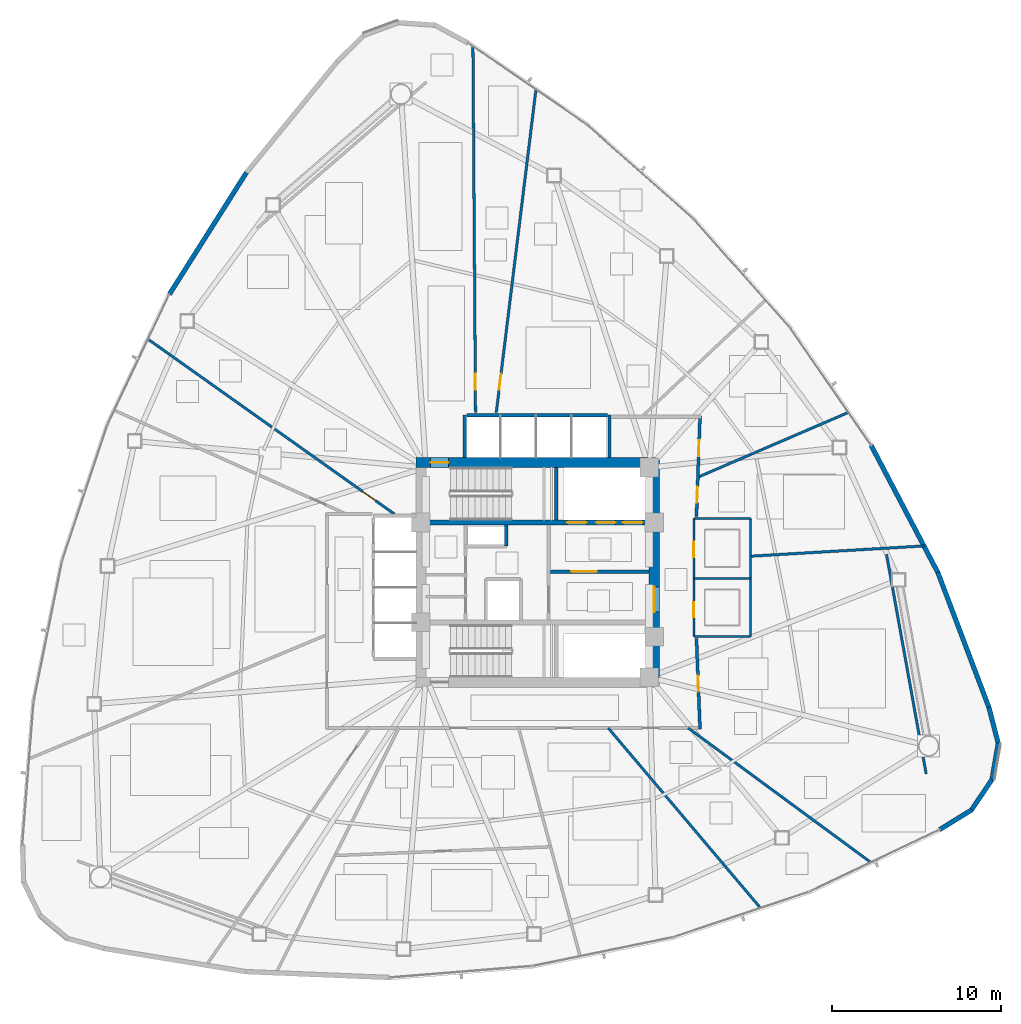
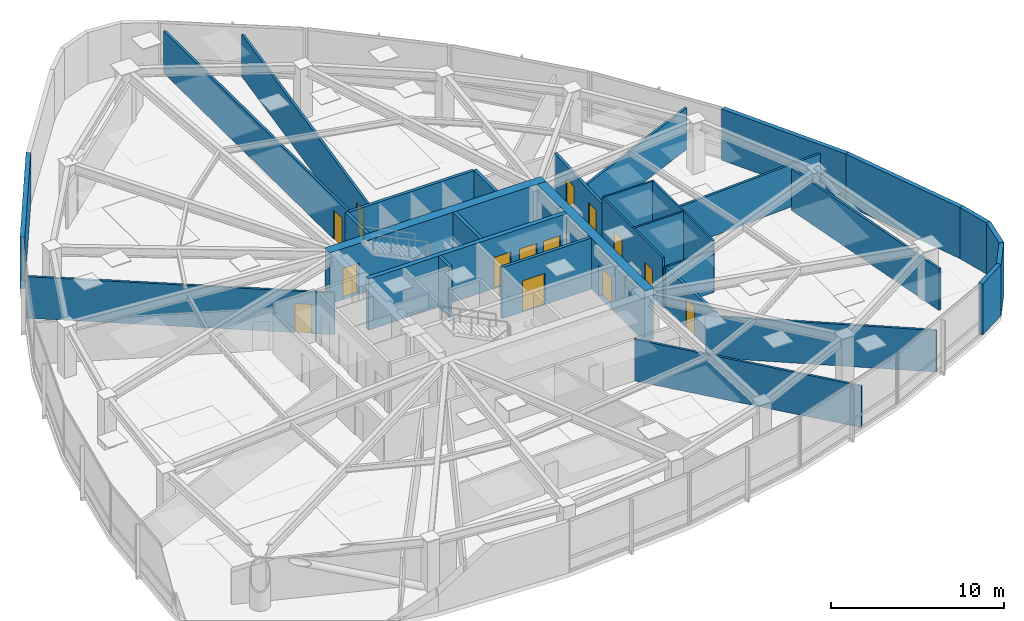
# One storey, part 13 of 18: 31 walls, 14 doors, 14 openings.
"""IFC4 building model written with IfcOpenShell, lengths in metres."""

from ifc_helpers import new_model, si_unit, direction, frame, frame_2d, origin, place, context, subcontext, project, spatial, rectangle, extrude, material, layer, layer_set, type_object, element, fill, save


model = new_model("IFC4")

# Units and contexts
model_context = context("Model", 3, precision=1e-05, world=origin(), true_north=direction((0.0, 1.0)))
body_context = subcontext(model_context, "Body", "Model", "MODEL_VIEW")
ifc_project = project(units=[si_unit("LENGTHUNIT", "METRE"), si_unit("AREAUNIT", "SQUARE_METRE"), si_unit("VOLUMEUNIT", "CUBIC_METRE"), si_unit("PLANEANGLEUNIT", "RADIAN"), si_unit("MASSUNIT", "GRAM", prefix="KILO")], contexts=[model_context])

# Site, building, storey
site_placement = place(None, origin())
site = spatial("IfcSite", under=ifc_project, at=site_placement, CompositionType="ELEMENT")
building_placement = place(site_placement, origin())
building = spatial("IfcBuilding", under=site, at=building_placement, Name="Tavelor Broadcast Tower", CompositionType="ELEMENT")
storey_placement = place(building_placement, frame((0.0, 0.0, 58.800048828125)))
storey = spatial("IfcBuildingStorey", under=building, at=storey_placement, Name="L13", CompositionType="ELEMENT", Elevation=58.800048828125)

# Wall, opening, door
ifc_material_1 = material(Name="Concrete C60/75", Category="concrete")
ifc_layer_1 = layer(ifc_material_1, 0.60009765625)
ifc_layer_set_1 = layer_set([ifc_layer_1], Name="Concrete C60/75")
wall_type_1 = type_object("IfcWallType", Name="Core Shear Wall 600 mm", PredefinedType="SHEAR", material=ifc_layer_set_1)
wall_1_placement = place(storey_placement, frame((42.800048828125, 51.5, 0.0), z_axis=(0.0, 0.0, 1.0), x_axis=(1.0, 0.0, 0.0)))
wall_1 = element("IfcWall", 1, at=wall_1_placement, inside=storey, type_object=wall_type_1, Name="L13 Central Core Shear Wall N", PredefinedType="SHEAR", context=body_context, shape_type="SweptSolid", body=[
    extrude(rectangle(XDim=14.39990234375, YDim=0.60009765625, at=frame_2d((7.199951171875, 0.0))), origin(), (0.0, 0.0, 1.0), 3.599853515625),
])
opening_1_placement = place(wall_1_placement, frame((0.8798828125, 0.0, 0.0)))
opening_1 = element("IfcOpeningElement", 2, at=opening_1_placement, cuts=wall_1, Name="Opening DR11", PredefinedType="OPENING", context=body_context, shape_type="SweptSolid", body=[
    extrude(rectangle(XDim=1.050048828125, YDim=2.199951171875, at=frame_2d((0.52490234375, 1.10009765625))), frame((0.0, 0.31005859375, 0.0), z_axis=(0.0, -1.0, 0.0), x_axis=(1.0, 0.0, 0.0)), (0.0, 0.0, 1.0), 0.6201171875),
])
ifc_material_2 = material(Name="Steel S355", Category="steel")
door_type_1 = type_object("IfcDoorType", Name="Stair Core Fire Escape Door 1050x2200", OperationType="NOTDEFINED", PredefinedType="DOOR", material=ifc_material_2)
door_1_placement = place(opening_1_placement, origin())
door_1 = element("IfcDoor", 3, at=door_1_placement, inside=storey, type_object=door_type_1, Name="L13 Stair ST1 Protected Exit Door", OperationType="SINGLE_SWING_LEFT", OverallHeight=2.199951171875, OverallWidth=1.050048828125, PredefinedType="DOOR", context=body_context, shape_type="SweptSolid", body=[
    extrude(rectangle(XDim=1.050048828125, YDim=2.199951171875, at=frame_2d((0.52490234375, 1.10009765625))), frame((0.0, 0.02490234375, 0.0), z_axis=(0.0, -1.0, 0.0), x_axis=(1.0, 0.0, 0.0)), (0.0, 0.0, 1.0), 0.050048828125),
])
fill(opening_1, door_1)

wall_2_placement = place(storey_placement, frame((56.89990234375, 38.800048828125, 0.0), z_axis=(0.0, 0.0, 1.0), x_axis=(0.0, 1.0, 0.0)))
wall_2 = element("IfcWall", 4, at=wall_2_placement, inside=storey, type_object=wall_type_1, Name="L13 Central Core Shear Wall E", PredefinedType="SHEAR", context=body_context, shape_type="SweptSolid", body=[
    extrude(rectangle(XDim=12.39990234375, YDim=0.60009765625, at=frame_2d((6.199951171875, 0.0))), origin(), (0.0, 0.0, 1.0), 3.599853515625),
])
opening_2_placement = place(wall_2_placement, frame((3.85009765625, 0.0, 0.0)))
opening_2 = element("IfcOpeningElement", 5, at=opening_2_placement, cuts=wall_2, Name="Opening DR14", PredefinedType="OPENING", context=body_context, shape_type="SweptSolid", body=[
    extrude(rectangle(XDim=1.5, YDim=2.199951171875, at=frame_2d((0.75, 1.10009765625))), frame((0.0, 0.31005859375, 0.0), z_axis=(0.0, -1.0, 0.0), x_axis=(1.0, 0.0, 0.0)), (0.0, 0.0, 1.0), 0.6201171875),
])
door_type_2 = type_object("IfcDoorType", Name="Firefighting Lobby Double Fire Door 1500x2200", OperationType="NOTDEFINED", PredefinedType="DOOR", material=ifc_material_2)
door_2_placement = place(opening_2_placement, origin())
door_2 = element("IfcDoor", 6, at=door_2_placement, inside=storey, type_object=door_type_2, Name="L13 Central Core Lobby Fire Door", OperationType="SINGLE_SWING_RIGHT", OverallHeight=2.199951171875, OverallWidth=1.5, PredefinedType="DOOR", context=body_context, shape_type="SweptSolid", body=[
    extrude(rectangle(XDim=1.5, YDim=2.199951171875, at=frame_2d((0.75, 1.10009765625))), frame((0.0, 0.02490234375, 0.0), z_axis=(0.0, -1.0, 0.0), x_axis=(1.0, 0.0, 0.0)), (0.0, 0.0, 1.0), 0.050048828125),
])
fill(opening_2, door_2)

# Wall, openings, doors
ifc_layer_2 = layer(ifc_material_1, 0.300048828125)
ifc_layer_set_2 = layer_set([ifc_layer_2], Name="Concrete C60/75")
wall_type_2 = type_object("IfcWallType", Name="Core Spine Shear Wall 300 mm C60", PredefinedType="SHEAR", material=ifc_layer_set_2)
wall_3_placement = place(storey_placement, frame((43.39990234375, 47.949951171875, 0.0), z_axis=(0.0, 0.0, 1.0), x_axis=(1.0, 0.0, 0.0)))
wall_3 = element("IfcWall", 7, at=wall_3_placement, inside=storey, type_object=wall_type_2, Name="L13 Central Core Shear Wall SP1", PredefinedType="SHEAR", context=body_context, shape_type="SweptSolid", body=[
    extrude(rectangle(XDim=13.2001953125, YDim=0.300048828125, at=frame_2d((6.60009765625, 0.0))), origin(), (0.0, 0.0, 1.0), 3.599853515625),
])
opening_3_placement = place(wall_3_placement, frame((8.344970703125, 0.0, 0.0)))
opening_3 = element("IfcOpeningElement", 8, at=opening_3_placement, cuts=wall_3, Name="Opening LD02", PredefinedType="OPENING", context=body_context, shape_type="SweptSolid", body=[
    extrude(rectangle(XDim=1.14990234375, YDim=2.199951171875, at=frame_2d((0.574951171875, 1.10009765625))), frame((0.0, 0.16015625, 0.0), z_axis=(0.0, -1.0, 0.0), x_axis=(1.0, 0.0, 0.0)), (0.0, 0.0, 1.0), 0.320068359375),
])
opening_4_placement = place(wall_3_placement, frame((10.06494140625, 0.0, 0.0)))
opening_4 = element("IfcOpeningElement", 9, at=opening_4_placement, cuts=wall_3, Name="Opening LD02", PredefinedType="OPENING", context=body_context, shape_type="SweptSolid", body=[
    extrude(rectangle(XDim=1.14990234375, YDim=2.199951171875, at=frame_2d((0.574951171875, 1.10009765625))), frame((0.0, 0.16015625, 0.0), z_axis=(0.0, -1.0, 0.0), x_axis=(1.0, 0.0, 0.0)), (0.0, 0.0, 1.0), 0.320068359375),
])
opening_5_placement = place(wall_3_placement, frame((11.64501953125, 0.0, 0.0)))
opening_5 = element("IfcOpeningElement", 10, at=opening_5_placement, cuts=wall_3, Name="Opening LD03", PredefinedType="OPENING", context=body_context, shape_type="SweptSolid", body=[
    extrude(rectangle(XDim=1.14990234375, YDim=2.199951171875, at=frame_2d((0.574951171875, 1.10009765625))), frame((0.0, 0.16015625, 0.0), z_axis=(0.0, -1.0, 0.0), x_axis=(1.0, 0.0, 0.0)), (0.0, 0.0, 1.0), 0.320068359375),
])
ifc_material_3 = material(Name="Reinforced Brushed Stainless Steel", Category="concrete")
door_type_3 = type_object("IfcDoorType", Name="Broadcast Goods Lift Sliding Landing Door 1250x2200", OperationType="NOTDEFINED", PredefinedType="DOOR", material=ifc_material_3)
door_3_placement = place(opening_5_placement, origin())
door_3 = element("IfcDoor", 11, at=door_3_placement, inside=storey, type_object=door_type_3, Name="L13 Lift SVL1 Sliding Landing Door", OperationType="SLIDING_TO_LEFT", OverallHeight=2.199951171875, OverallWidth=1.14990234375, PredefinedType="DOOR", context=body_context, shape_type="SweptSolid", body=[
    extrude(rectangle(XDim=1.14990234375, YDim=2.199951171875, at=frame_2d((0.574951171875, 1.10009765625))), frame((0.0, 0.02490234375, 0.0), z_axis=(0.0, -1.0, 0.0), x_axis=(1.0, 0.0, 0.0)), (0.0, 0.0, 1.0), 0.050048828125),
])
fill(opening_5, door_3)
ifc_material_4 = material(Name="Fire-Rated Stainless Steel", Category="steel")
door_type_4 = type_object("IfcDoorType", Name="Firefighting Lift Sliding Landing Door 1200x2200", OperationType="NOTDEFINED", PredefinedType="DOOR", material=ifc_material_4)
door_4_placement = place(opening_3_placement, origin())
door_4 = element("IfcDoor", 12, at=door_4_placement, inside=storey, type_object=door_type_4, Name="L13 Lift FFL1 Sliding Landing Door", OperationType="SLIDING_TO_LEFT", OverallHeight=2.199951171875, OverallWidth=1.14990234375, PredefinedType="DOOR", context=body_context, shape_type="SweptSolid", body=[
    extrude(rectangle(XDim=1.14990234375, YDim=2.199951171875, at=frame_2d((0.574951171875, 1.10009765625))), frame((0.0, 0.02490234375, 0.0), z_axis=(0.0, -1.0, 0.0), x_axis=(1.0, 0.0, 0.0)), (0.0, 0.0, 1.0), 0.050048828125),
])
fill(opening_3, door_4)
door_5_placement = place(opening_4_placement, origin())
door_5 = element("IfcDoor", 13, at=door_5_placement, inside=storey, type_object=door_type_4, Name="L13 Lift FFL2 Sliding Landing Door", OperationType="SLIDING_TO_LEFT", OverallHeight=2.199951171875, OverallWidth=1.14990234375, PredefinedType="DOOR", context=body_context, shape_type="SweptSolid", body=[
    extrude(rectangle(XDim=1.14990234375, YDim=2.199951171875, at=frame_2d((0.574951171875, 1.10009765625))), frame((0.0, 0.02490234375, 0.0), z_axis=(0.0, -1.0, 0.0), x_axis=(1.0, 0.0, 0.0)), (0.0, 0.0, 1.0), 0.050048828125),
])
fill(opening_4, door_5)

ifc_material_5 = material(Name="Calcium Silicate Fire Board 180 mm", Category="gypsum")
ifc_layer_3 = layer(ifc_material_5, 0.179931640625)
ifc_layer_set_3 = layer_set([ifc_layer_3], Name="Calcium Silicate Fire Board 180 mm")
wall_type_3 = type_object("IfcWallType", Name="Fire-Rated Corridor Partition Wall 180 mm", PredefinedType="PARTITIONING", material=ifc_layer_set_3)
wall_4_placement = place(storey_placement, frame((59.601806640625, 54.25, 0.0), z_axis=(0.0, 0.0, 1.0), x_axis=(-0.035265891834, -0.999377964973, 0.0)))
wall_4 = element("IfcWall", 14, at=wall_4_placement, inside=storey, type_object=wall_type_3, Name="L13 Corridor Compartment Wall 02", PredefinedType="PARTITIONING", context=body_context, shape_type="SweptSolid", body=[
    extrude(rectangle(XDim=5.95361328125, YDim=0.179931640625, at=frame_2d((2.976806640625, 0.0))), origin(), (0.0, 0.0, 1.0), 2.925048828125),
])
opening_6_placement = place(wall_4_placement, frame((1.42578125, 0.0, 0.0)))
opening_6 = element("IfcOpeningElement", 15, at=opening_6_placement, cuts=wall_4, Name="Opening DR18", PredefinedType="OPENING", context=body_context, shape_type="SweptSolid", body=[
    extrude(rectangle(XDim=0.949951171875, YDim=2.050048828125, at=frame_2d((0.47509765625, 1.02490234375))), frame((0.0, 0.10009765625, 0.0), z_axis=(0.0, -1.0, 0.0), x_axis=(1.0, 0.0, 0.0)), (0.0, 0.0, 1.0), 0.199951171875),
])
opening_7_placement = place(wall_4_placement, frame((4.176025390625, 0.0, 0.0)))
opening_7 = element("IfcOpeningElement", 16, at=opening_7_placement, cuts=wall_4, Name="Opening DR18", PredefinedType="OPENING", context=body_context, shape_type="SweptSolid", body=[
    extrude(rectangle(XDim=0.949951171875, YDim=2.050048828125, at=frame_2d((0.47509765625, 1.02490234375))), frame((0.0, 0.10009765625, 0.0), z_axis=(0.0, -1.0, 0.0), x_axis=(1.0, 0.0, 0.0)), (0.0, 0.0, 1.0), 0.199951171875),
])
ifc_material_6 = material(Name="Timber Solid Core Hardwood", Category="wood")
door_type_5 = type_object("IfcDoorType", Name="Corridor Rated Compartment Door 950x2050", OperationType="NOTDEFINED", PredefinedType="DOOR", material=ifc_material_6)
door_6_placement = place(opening_6_placement, origin())
door_6 = element("IfcDoor", 17, at=door_6_placement, inside=storey, type_object=door_type_5, Name="L13 Talent Concierge Desk Door R8", OperationType="SINGLE_SWING_RIGHT", OverallHeight=2.050048828125, OverallWidth=0.949951171875, PredefinedType="DOOR", context=body_context, shape_type="SweptSolid", body=[
    extrude(rectangle(XDim=0.949951171875, YDim=2.050048828125, at=frame_2d((0.47509765625, 1.02490234375))), frame((0.0, 0.02490234375, 0.0), z_axis=(0.0, -1.0, 0.0), x_axis=(1.0, 0.0, 0.0)), (0.0, 0.0, 1.0), 0.050048828125),
])
fill(opening_6, door_6)
door_7_placement = place(opening_7_placement, origin())
door_7 = element("IfcDoor", 18, at=door_7_placement, inside=storey, type_object=door_type_5, Name="L13 Master Control Room Door R9", OperationType="SINGLE_SWING_LEFT", OverallHeight=2.050048828125, OverallWidth=0.949951171875, PredefinedType="DOOR", context=body_context, shape_type="SweptSolid", body=[
    extrude(rectangle(XDim=0.949951171875, YDim=2.050048828125, at=frame_2d((0.47509765625, 1.02490234375))), frame((0.0, 0.02490234375, 0.0), z_axis=(0.0, -1.0, 0.0), x_axis=(1.0, 0.0, 0.0)), (0.0, 0.0, 1.0), 0.050048828125),
])
fill(opening_7, door_7)

# Wall, opening, door
wall_5_placement = place(storey_placement, frame((59.39208984375, 41.10009765625, 0.0), z_axis=(0.0, 0.0, 1.0), x_axis=(0.03921413315, -0.999230830069, 0.0)))
wall_5 = element("IfcWall", 19, at=wall_5_placement, inside=storey, type_object=wall_type_3, Name="L13 Corridor Compartment Wall 03", PredefinedType="PARTITIONING", context=body_context, shape_type="SweptSolid", body=[
    extrude(rectangle(XDim=5.354248046875, YDim=0.179931640625, at=frame_2d((2.67724609375, 0.0))), origin(), (0.0, 0.0, 1.0), 2.925048828125),
])
opening_8_placement = place(wall_5_placement, frame((2.201904296875, 0.0, 0.0)))
opening_8 = element("IfcOpeningElement", 20, at=opening_8_placement, cuts=wall_5, Name="Opening DR18", PredefinedType="OPENING", context=body_context, shape_type="SweptSolid", body=[
    extrude(rectangle(XDim=0.949951171875, YDim=2.050048828125, at=frame_2d((0.47509765625, 1.02490234375))), frame((0.0, 0.10009765625, 0.0), z_axis=(0.0, -1.0, 0.0), x_axis=(1.0, 0.0, 0.0)), (0.0, 0.0, 1.0), 0.199951171875),
])
door_8_placement = place(opening_8_placement, origin())
door_8 = element("IfcDoor", 21, at=door_8_placement, inside=storey, type_object=door_type_5, Name="L13 Investigative News Desk Door R10", OperationType="SINGLE_SWING_RIGHT", OverallHeight=2.050048828125, OverallWidth=0.949951171875, PredefinedType="DOOR", context=body_context, shape_type="SweptSolid", body=[
    extrude(rectangle(XDim=0.949951171875, YDim=2.050048828125, at=frame_2d((0.47509765625, 1.02490234375))), frame((0.0, 0.02490234375, 0.0), z_axis=(0.0, -1.0, 0.0), x_axis=(1.0, 0.0, 0.0)), (0.0, 0.0, 1.0), 0.050048828125),
])
fill(opening_8, door_8)

# Walls
ifc_material_7 = material(Name="Precast Concrete C40/50", Category="concrete")
ifc_layer_4 = layer(ifc_material_7, 0.280029296875)
ifc_layer_set_4 = layer_set([ifc_layer_4], Name="Precast Concrete C40/50")
wall_type_4 = type_object("IfcWallType", Name="Insulated Precast Terracotta Facade Wall 280 mm", PredefinedType="STANDARD", material=ifc_layer_set_4)
wall_6_placement = place(storey_placement, frame((32.790283203125, 68.639892578125, 0.0), z_axis=(0.0, 0.0, 1.0), x_axis=(-0.534720659034, -0.845028885188, 0.0)))
element("IfcWall", 22, at=wall_6_placement, inside=storey, type_object=wall_type_4, Name="L13 Rounded Corner Structural Cladding Pier 06", PredefinedType="STANDARD", context=body_context, shape_type="SweptSolid", body=[
    extrude(rectangle(XDim=8.518310546875, YDim=0.280029296875, at=frame_2d((4.25927734375, 0.0))), origin(), (0.0, 0.0, 1.0), 3.599853515625),
])
wall_7_placement = place(storey_placement, frame((73.767578125, 29.793701171875, 0.0), z_axis=(0.0, 0.0, 1.0), x_axis=(0.851246241496, 0.524766458854, 0.0)))
element("IfcWall", 23, at=wall_7_placement, inside=storey, type_object=wall_type_4, Name="L13 Rounded Corner Structural Cladding Pier 21", PredefinedType="STANDARD", context=body_context, shape_type="SweptSolid", body=[
    extrude(rectangle(XDim=2.21875, YDim=0.280029296875, at=frame_2d((1.109375, 0.0))), origin(), (0.0, 0.0, 1.0), 3.599853515625),
])
wall_8_placement = place(storey_placement, frame((75.635009765625, 30.937744140625, 0.0), z_axis=(0.0, 0.0, 1.0), x_axis=(0.559896406267, 0.828562619389, 0.0)))
element("IfcWall", 24, at=wall_8_placement, inside=storey, type_object=wall_type_4, Name="L13 Rounded Corner Structural Cladding Pier 22", PredefinedType="STANDARD", context=body_context, shape_type="SweptSolid", body=[
    extrude(rectangle(XDim=2.207275390625, YDim=0.280029296875, at=frame_2d((1.103515625, 0.0))), origin(), (0.0, 0.0, 1.0), 3.599853515625),
])
wall_9_placement = place(storey_placement, frame((76.860107421875, 32.7392578125, 0.0), z_axis=(0.0, 0.0, 1.0), x_axis=(0.169329109124, 0.985559563296, 0.0)))
element("IfcWall", 25, at=wall_9_placement, inside=storey, type_object=wall_type_4, Name="L13 Rounded Corner Structural Cladding Pier 23", PredefinedType="STANDARD", context=body_context, shape_type="SweptSolid", body=[
    extrude(rectangle(XDim=2.20751953125, YDim=0.280029296875, at=frame_2d((1.103759765625, 0.0))), origin(), (0.0, 0.0, 1.0), 3.599853515625),
])
wall_10_placement = place(storey_placement, frame((77.235107421875, 34.885498046875, 0.0), z_axis=(0.0, 0.0, 1.0), x_axis=(-0.251285133417, 0.967913106494, 0.0)))
element("IfcWall", 26, at=wall_10_placement, inside=storey, type_object=wall_type_4, Name="L13 Rounded Corner Structural Cladding Pier 24", PredefinedType="STANDARD", context=body_context, shape_type="SweptSolid", body=[
    extrude(rectangle(XDim=2.229736328125, YDim=0.280029296875, at=frame_2d((1.11474609375, 0.0))), origin(), (0.0, 0.0, 1.0), 3.599853515625),
])
wall_11_placement = place(storey_placement, frame((76.683837890625, 37.01513671875, 0.0), z_axis=(0.0, 0.0, 1.0), x_axis=(-0.353856912015, 0.935299570095, 0.0)))
element("IfcWall", 27, at=wall_11_placement, inside=storey, type_object=wall_type_4, Name="L13 Rounded Corner Structural Cladding Pier 25", PredefinedType="STANDARD", context=body_context, shape_type="SweptSolid", body=[
    extrude(rectangle(XDim=8.530517578125, YDim=0.280029296875, at=frame_2d((4.26513671875, 0.0))), origin(), (0.0, 0.0, 1.0), 3.599853515625),
])
wall_12_placement = place(storey_placement, frame((73.677490234375, 44.96630859375, 0.0), z_axis=(0.0, 0.0, 1.0), x_axis=(-0.464440668797, 0.885604237324, 0.0)))
element("IfcWall", 28, at=wall_12_placement, inside=storey, type_object=wall_type_4, Name="L13 Rounded Corner Structural Cladding Pier 26", PredefinedType="STANDARD", context=body_context, shape_type="SweptSolid", body=[
    extrude(rectangle(XDim=8.518310546875, YDim=0.280029296875, at=frame_2d((4.25927734375, 0.0))), origin(), (0.0, 0.0, 1.0), 3.599853515625),
])
ifc_material_8 = material(Name="Gypsum Acoustic Plasterboard 150 mm", Category="gypsum")
ifc_layer_5 = layer(ifc_material_8, 0.14990234375)
ifc_layer_set_5 = layer_set([ifc_layer_5], Name="Gypsum Acoustic Plasterboard 150 mm")
wall_type_5 = type_object("IfcWallType", Name="Interior Acoustic Partition Wall 150 mm", PredefinedType="PARTITIONING", material=ifc_layer_set_5)
wall_13_placement = place(storey_placement, frame((72.96923828125, 33.09130859375, 0.0), z_axis=(0.0, 0.0, 1.0), x_axis=(-0.177742578179, 0.984077017261, 0.0)))
element("IfcWall", 29, at=wall_13_placement, inside=storey, type_object=wall_type_5, Name="L13 Corner Tube Brace Furring Wall 3", PredefinedType="PARTITIONING", context=body_context, shape_type="SweptSolid", body=[
    extrude(rectangle(XDim=13.179443359375, YDim=0.14990234375, at=frame_2d((6.58984375, 0.0))), origin(), (0.0, 0.0, 1.0), 2.925048828125),
])

# Wall, opening, door
wall_14_placement = place(storey_placement, frame((47.560302734375, 54.449951171875, 0.0), z_axis=(0.0, 0.0, 1.0), x_axis=(0.121870251572, 0.992546040132, 0.0)))
wall_14 = element("IfcWall", 30, at=wall_14_placement, inside=storey, type_object=wall_type_5, Name="L13 Radial Compartment Wall 01", PredefinedType="PARTITIONING", context=body_context, shape_type="SweptSolid", body=[
    extrude(rectangle(XDim=19.24365234375, YDim=0.14990234375, at=frame_2d((9.621826171875, 0.0))), origin(), (0.0, 0.0, 1.0), 2.974853515625),
])
opening_9_placement = place(wall_14_placement, frame((1.35009765625, 0.0, 0.0)))
opening_9 = element("IfcOpeningElement", 31, at=opening_9_placement, cuts=wall_14, Name="Opening DR18", PredefinedType="OPENING", context=body_context, shape_type="SweptSolid", body=[
    extrude(rectangle(XDim=0.949951171875, YDim=2.050048828125, at=frame_2d((0.47509765625, 1.02490234375))), frame((0.0, 0.0849609375, 0.0), z_axis=(0.0, -1.0, 0.0), x_axis=(1.0, 0.0, 0.0)), (0.0, 0.0, 1.0), 0.169921875),
])
door_9_placement = place(opening_9_placement, origin())
door_9 = element("IfcDoor", 32, at=door_9_placement, inside=storey, type_object=door_type_5, Name="L13 Suite Connecting Door 7", OperationType="SINGLE_SWING_RIGHT", OverallHeight=2.050048828125, OverallWidth=0.949951171875, PredefinedType="DOOR", context=body_context, shape_type="SweptSolid", body=[
    extrude(rectangle(XDim=0.949951171875, YDim=2.050048828125, at=frame_2d((0.47509765625, 1.02490234375))), frame((0.0, 0.02490234375, 0.0), z_axis=(0.0, -1.0, 0.0), x_axis=(1.0, 0.0, 0.0)), (0.0, 0.0, 1.0), 0.050048828125),
])
fill(opening_9, door_9)

wall_15_placement = place(storey_placement, frame((46.3330078125, 54.449951171875, 0.0), z_axis=(0.0, 0.0, 1.0), x_axis=(-0.007077394278, 0.999974954931, 0.0)))
wall_15 = element("IfcWall", 33, at=wall_15_placement, inside=storey, type_object=wall_type_5, Name="L13 Radial Compartment Wall 02", PredefinedType="PARTITIONING", context=body_context, shape_type="SweptSolid", body=[
    extrude(rectangle(XDim=21.663330078125, YDim=0.14990234375, at=frame_2d((10.83154296875, 0.0))), origin(), (0.0, 0.0, 1.0), 2.974853515625),
])
opening_10_placement = place(wall_15_placement, frame((1.35009765625, 0.0, 0.0)))
opening_10 = element("IfcOpeningElement", 34, at=opening_10_placement, cuts=wall_15, Name="Opening DR18", PredefinedType="OPENING", context=body_context, shape_type="SweptSolid", body=[
    extrude(rectangle(XDim=0.949951171875, YDim=2.050048828125, at=frame_2d((0.47509765625, 1.02490234375))), frame((0.0, 0.0849609375, 0.0), z_axis=(0.0, -1.0, 0.0), x_axis=(1.0, 0.0, 0.0)), (0.0, 0.0, 1.0), 0.169921875),
])
door_10_placement = place(opening_10_placement, origin())
door_10 = element("IfcDoor", 35, at=door_10_placement, inside=storey, type_object=door_type_5, Name="L13 Suite Connecting Door 6", OperationType="SINGLE_SWING_LEFT", OverallHeight=2.050048828125, OverallWidth=0.949951171875, PredefinedType="DOOR", context=body_context, shape_type="SweptSolid", body=[
    extrude(rectangle(XDim=0.949951171875, YDim=2.050048828125, at=frame_2d((0.47509765625, 1.02490234375))), frame((0.0, 0.02490234375, 0.0), z_axis=(0.0, -1.0, 0.0), x_axis=(1.0, 0.0, 0.0)), (0.0, 0.0, 1.0), 0.050048828125),
])
fill(opening_10, door_10)

wall_16_placement = place(storey_placement, frame((41.53857421875, 48.449951171875, 0.0), z_axis=(0.0, 0.0, 1.0), x_axis=(-0.815516089999, 0.578734401044, 0.0)))
wall_16 = element("IfcWall", 36, at=wall_16_placement, inside=storey, type_object=wall_type_5, Name="L13 Radial Compartment Wall 03", PredefinedType="PARTITIONING", context=body_context, shape_type="SweptSolid", body=[
    extrude(rectangle(XDim=17.86767578125, YDim=0.14990234375, at=frame_2d((8.933837890625, 0.0))), origin(), (0.0, 0.0, 1.0), 2.925048828125),
])
opening_11_placement = place(wall_16_placement, frame((1.35009765625, 0.0, 0.0)))
opening_11 = element("IfcOpeningElement", 37, at=opening_11_placement, cuts=wall_16, Name="Opening DR18", PredefinedType="OPENING", context=body_context, shape_type="SweptSolid", body=[
    extrude(rectangle(XDim=0.949951171875, YDim=2.050048828125, at=frame_2d((0.47509765625, 1.02490234375))), frame((0.0, 0.0849609375, 0.0), z_axis=(0.0, -1.0, 0.0), x_axis=(1.0, 0.0, 0.0)), (0.0, 0.0, 1.0), 0.169921875),
])
door_11_placement = place(opening_11_placement, origin())
door_11 = element("IfcDoor", 38, at=door_11_placement, inside=storey, type_object=door_type_5, Name="L13 Suite Connecting Door 5", OperationType="SINGLE_SWING_RIGHT", OverallHeight=2.050048828125, OverallWidth=0.949951171875, PredefinedType="DOOR", context=body_context, shape_type="SweptSolid", body=[
    extrude(rectangle(XDim=0.949951171875, YDim=2.050048828125, at=frame_2d((0.47509765625, 1.02490234375))), frame((0.0, 0.02490234375, 0.0), z_axis=(0.0, -1.0, 0.0), x_axis=(1.0, 0.0, 0.0)), (0.0, 0.0, 1.0), 0.050048828125),
])
fill(opening_11, door_11)

# Walls
wall_17_placement = place(storey_placement, frame((54.18017578125, 35.800048828125, 0.0), z_axis=(0.0, 0.0, 1.0), x_axis=(0.645721664987, -0.763572872336, 0.0)))
element("IfcWall", 39, at=wall_17_placement, inside=storey, type_object=wall_type_5, Name="L13 Radial Compartment Wall 09", PredefinedType="PARTITIONING", context=body_context, shape_type="SweptSolid", body=[
    extrude(rectangle(XDim=13.94384765625, YDim=0.14990234375, at=frame_2d((6.971923828125, 0.0))), origin(), (0.0, 0.0, 1.0), 2.925048828125),
])
wall_18_placement = place(storey_placement, frame((58.906005859375, 35.800048828125, 0.0), z_axis=(0.0, 0.0, 1.0), x_axis=(0.805513037847, -0.592578050436, 0.0)))
element("IfcWall", 40, at=wall_18_placement, inside=storey, type_object=wall_type_5, Name="L13 Radial Compartment Wall 10", PredefinedType="PARTITIONING", context=body_context, shape_type="SweptSolid", body=[
    extrude(rectangle(XDim=13.41455078125, YDim=0.14990234375, at=frame_2d((6.707275390625, 0.0))), origin(), (0.0, 0.0, 1.0), 2.925048828125),
])
wall_19_placement = place(storey_placement, frame((62.64990234375, 45.9609375, 0.0), z_axis=(0.0, 0.0, 1.0), x_axis=(0.998255869805, 0.059035738322, 0.0)))
element("IfcWall", 41, at=wall_19_placement, inside=storey, type_object=wall_type_5, Name="L13 Radial Compartment Wall 11", PredefinedType="PARTITIONING", context=body_context, shape_type="SweptSolid", body=[
    extrude(rectangle(XDim=10.21875, YDim=0.14990234375, at=frame_2d((5.109375, 0.0))), origin(), (0.0, 0.0, 1.0), 2.974853515625),
])
wall_20_placement = place(storey_placement, frame((59.473876953125, 50.626953125, 0.0), z_axis=(0.0, 0.0, 1.0), x_axis=(0.918532145294, 0.39534630144, 0.0)))
element("IfcWall", 42, at=wall_20_placement, inside=storey, type_object=wall_type_5, Name="L13 Radial Compartment Wall 12", PredefinedType="PARTITIONING", context=body_context, shape_type="SweptSolid", body=[
    extrude(rectangle(XDim=9.701416015625, YDim=0.14990234375, at=frame_2d((4.8505859375, 0.0))), origin(), (0.0, 0.0, 1.0), 2.925048828125),
])
ifc_material_9 = material(Name="Concrete Blockwork 200 mm", Category="masonry")
ifc_layer_6 = layer(ifc_material_9, 0.199951171875)
ifc_layer_set_6 = layer_set([ifc_layer_6], Name="Concrete Blockwork 200 mm")
wall_type_6 = type_object("IfcWallType", Name="Lift Hoistway Rated Front Wall 200 mm", PredefinedType="PARTITIONING", material=ifc_layer_set_6)
wall_21_placement = place(storey_placement, frame((45.820068359375, 54.300048828125, 0.0), z_axis=(0.0, 0.0, 1.0), x_axis=(1.0, 0.0, 0.0)))
element("IfcWall", 43, at=wall_21_placement, inside=storey, type_object=wall_type_6, Name="L13 High-Rise Lift Hoistway Front Wall", PredefinedType="PARTITIONING", context=body_context, shape_type="SweptSolid", body=[
    extrude(rectangle(XDim=8.309814453125, YDim=0.199951171875, at=frame_2d((4.15478515625, 0.0))), origin(), (0.0, 0.0, 1.0), 3.599853515625),
])
ifc_layer_7 = layer(ifc_material_9, 0.199951171875)
ifc_layer_set_7 = layer_set([ifc_layer_7], Name="Concrete Blockwork 200 mm")
wall_type_7 = type_object("IfcWallType", Name="Lift and Riser Shaft Enclosure Wall 200 mm", PredefinedType="PARTITIONING", material=ifc_layer_set_7)
for number, where, z_axis, x_axis, name in (
    (44, (45.699951171875, 51.800048828125, 0.0), (0.0, 0.0, 1.0), (0.0, 1.0, 0.0), "L13 High-Rise Lift Shaft West Wall"),
    (45, (54.25, 51.800048828125, 0.0), (0.0, 0.0, 1.0), (0.0, 1.0, 0.0), "L13 High-Rise Lift Shaft East Wall"),
):
    element("IfcWall", number, at=place(storey_placement, frame(where, z_axis=z_axis, x_axis=x_axis)), inside=storey, type_object=wall_type_7, Name=name, PredefinedType="PARTITIONING", context=body_context, shape_type="SweptSolid", body=[
        extrude(rectangle(XDim=2.5, YDim=0.199951171875, at=frame_2d((1.25, 0.0))), origin(), (0.0, 0.0, 1.0), 3.599853515625),
    ])
wall_22_placement = place(storey_placement, frame((48.14990234375, 46.550048828125, 0.0), z_axis=(0.0, 0.0, 1.0), x_axis=(0.0, 1.0, 0.0)))
element("IfcWall", 46, at=wall_22_placement, inside=storey, type_object=wall_type_7, Name="L13 Riser Shaft East Wall", PredefinedType="PARTITIONING", context=body_context, shape_type="SweptSolid", body=[
    extrude(rectangle(XDim=1.25, YDim=0.199951171875, at=frame_2d((0.625, 0.0))), origin(), (0.0, 0.0, 1.0), 3.599853515625),
])

# Wall, opening, door
wall_23_placement = place(storey_placement, frame((50.64990234375, 45.050048828125, 0.0), z_axis=(0.0, 0.0, 1.0), x_axis=(1.0, 0.0, 0.0)))
wall_23 = element("IfcWall", 47, at=wall_23_placement, inside=storey, type_object=wall_type_7, Name="L13 Firefighting Lobby South Wall", PredefinedType="PARTITIONING", context=body_context, shape_type="SweptSolid", body=[
    extrude(rectangle(XDim=5.9501953125, YDim=0.199951171875, at=frame_2d((2.97509765625, 0.0))), origin(), (0.0, 0.0, 1.0), 3.599853515625),
])
opening_12_placement = place(wall_23_placement, frame((1.35009765625, 0.0, 0.0)))
opening_12 = element("IfcOpeningElement", 48, at=opening_12_placement, cuts=wall_23, Name="Opening DR14", PredefinedType="OPENING", context=body_context, shape_type="SweptSolid", body=[
    extrude(rectangle(XDim=1.5, YDim=2.199951171875, at=frame_2d((0.75, 1.10009765625))), frame((0.0, 0.10986328125, 0.0), z_axis=(0.0, -1.0, 0.0), x_axis=(1.0, 0.0, 0.0)), (0.0, 0.0, 1.0), 0.219970703125),
])
door_12_placement = place(opening_12_placement, origin())
door_12 = element("IfcDoor", 49, at=door_12_placement, inside=storey, type_object=door_type_2, Name="L13 Firefighting Lobby Compartment Door", OperationType="SINGLE_SWING_LEFT", OverallHeight=2.199951171875, OverallWidth=1.5, PredefinedType="DOOR", context=body_context, shape_type="SweptSolid", body=[
    extrude(rectangle(XDim=1.5, YDim=2.199951171875, at=frame_2d((0.75, 1.10009765625))), frame((0.0, 0.02490234375, 0.0), z_axis=(0.0, -1.0, 0.0), x_axis=(1.0, 0.0, 0.0)), (0.0, 0.0, 1.0), 0.050048828125),
])
fill(opening_12, door_12)

# Wall, openings, doors
ifc_material_10 = material(Name="Moisture-Resistant Plasterboard 120 mm", Category="gypsum")
ifc_layer_8 = layer(ifc_material_10, 0.1201171875)
ifc_layer_set_8 = layer_set([ifc_layer_8], Name="Moisture-Resistant Plasterboard 120 mm")
wall_type_8 = type_object("IfcWallType", Name="Moisture-Resistant Wet-Room Partition 120 mm", PredefinedType="PARTITIONING", material=ifc_layer_set_8)
wall_24_placement = place(storey_placement, frame((59.239990234375, 41.199951171875, 0.0), z_axis=(0.0, 0.0, 1.0), x_axis=(0.0, 1.0, 0.0)))
wall_24 = element("IfcWall", 50, at=wall_24_placement, inside=storey, type_object=wall_type_8, Name="L13 Floor Washrooms West Wall", PredefinedType="PARTITIONING", context=body_context, shape_type="SweptSolid", body=[
    extrude(rectangle(XDim=7.0, YDim=0.1201171875, at=frame_2d((3.5, 0.0))), origin(), (0.0, 0.0, 1.0), 3.599853515625),
])
opening_13_placement = place(wall_24_placement, frame((1.14990234375, 0.0, 0.0)))
opening_13 = element("IfcOpeningElement", 51, at=opening_13_placement, cuts=wall_24, Name="Opening DR32", PredefinedType="OPENING", context=body_context, shape_type="SweptSolid", body=[
    extrude(rectangle(XDim=0.89990234375, YDim=2.050048828125, at=frame_2d((0.449951171875, 1.02490234375))), frame((0.0, 0.070068359375, 0.0), z_axis=(0.0, -1.0, 0.0), x_axis=(1.0, 0.0, 0.0)), (0.0, 0.0, 1.0), 0.14013671875),
])
opening_14_placement = place(wall_24_placement, frame((4.699951171875, 0.0, 0.0)))
opening_14 = element("IfcOpeningElement", 52, at=opening_14_placement, cuts=wall_24, Name="Opening DR32", PredefinedType="OPENING", context=body_context, shape_type="SweptSolid", body=[
    extrude(rectangle(XDim=0.89990234375, YDim=2.050048828125, at=frame_2d((0.449951171875, 1.02490234375))), frame((0.0, 0.070068359375, 0.0), z_axis=(0.0, -1.0, 0.0), x_axis=(1.0, 0.0, 0.0)), (0.0, 0.0, 1.0), 0.14013671875),
])
door_type_6 = type_object("IfcDoorType", Name="Accessible Washroom Door 900x2050", OperationType="NOTDEFINED", PredefinedType="DOOR", material=ifc_material_6)
door_13_placement = place(opening_13_placement, origin())
door_13 = element("IfcDoor", 53, at=door_13_placement, inside=storey, type_object=door_type_6, Name="L13 Accessible WC Door", OperationType="SINGLE_SWING_LEFT", OverallHeight=2.050048828125, OverallWidth=0.89990234375, PredefinedType="DOOR", context=body_context, shape_type="SweptSolid", body=[
    extrude(rectangle(XDim=0.89990234375, YDim=2.050048828125, at=frame_2d((0.449951171875, 1.02490234375))), frame((0.0, 0.02490234375, 0.0), z_axis=(0.0, -1.0, 0.0), x_axis=(1.0, 0.0, 0.0)), (0.0, 0.0, 1.0), 0.050048828125),
])
fill(opening_13, door_13)
door_14_placement = place(opening_14_placement, origin())
door_14 = element("IfcDoor", 54, at=door_14_placement, inside=storey, type_object=door_type_6, Name="L13 Staff Washroom WC Door", OperationType="SINGLE_SWING_RIGHT", OverallHeight=2.050048828125, OverallWidth=0.89990234375, PredefinedType="DOOR", context=body_context, shape_type="SweptSolid", body=[
    extrude(rectangle(XDim=0.89990234375, YDim=2.050048828125, at=frame_2d((0.449951171875, 1.02490234375))), frame((0.0, 0.02490234375, 0.0), z_axis=(0.0, -1.0, 0.0), x_axis=(1.0, 0.0, 0.0)), (0.0, 0.0, 1.0), 0.050048828125),
])
fill(opening_14, door_14)

# Walls
wall_25_placement = place(storey_placement, frame((59.239990234375, 41.199951171875, 0.0), z_axis=(0.0, 0.0, 1.0), x_axis=(1.0, 0.0, 0.0)))
element("IfcWall", 55, at=wall_25_placement, inside=storey, type_object=wall_type_8, Name="L13 Floor Washrooms South Wall", PredefinedType="PARTITIONING", context=body_context, shape_type="SweptSolid", body=[
    extrude(rectangle(XDim=3.340087890625, YDim=0.1201171875, at=frame_2d((1.669921875, 0.0))), origin(), (0.0, 0.0, 1.0), 2.925048828125),
])
for number, where, z_axis, x_axis, name in (
    (56, (59.239990234375, 44.64990234375, 0.0), (0.0, 0.0, 1.0), (1.0, 0.0, 0.0), "L13 Floor Washrooms Divider Wall"),
    (57, (59.239990234375, 48.199951171875, 0.0), (0.0, 0.0, 1.0), (1.0, 0.0, 0.0), "L13 Floor Washrooms North Wall"),
):
    element("IfcWall", number, at=place(storey_placement, frame(where, z_axis=z_axis, x_axis=x_axis)), inside=storey, type_object=wall_type_8, Name=name, PredefinedType="PARTITIONING", context=body_context, shape_type="SweptSolid", body=[
        extrude(rectangle(XDim=3.340087890625, YDim=0.1201171875, at=frame_2d((1.669921875, 0.0))), origin(), (0.0, 0.0, 1.0), 3.599853515625),
    ])
wall_26_placement = place(storey_placement, frame((62.580078125, 41.199951171875, 0.0), z_axis=(0.0, 0.0, 1.0), x_axis=(0.0, 1.0, 0.0)))
element("IfcWall", 58, at=wall_26_placement, inside=storey, type_object=wall_type_8, Name="L13 Floor Washrooms East Wall", PredefinedType="PARTITIONING", context=body_context, shape_type="SweptSolid", body=[
    extrude(rectangle(XDim=7.0, YDim=0.1201171875, at=frame_2d((3.5, 0.0))), origin(), (0.0, 0.0, 1.0), 3.599853515625),
])
ifc_material_11 = material(Name="Concrete C40/50", Category="concrete")
ifc_layer_9 = layer(ifc_material_11, 0.219970703125)
ifc_layer_set_9 = layer_set([ifc_layer_9], Name="Concrete C40/50")
wall_type_9 = type_object("IfcWallType", Name="Structural Stairwell Shear Wall 220 mm", PredefinedType="SHEAR", material=ifc_layer_set_9)
wall_27_placement = place(storey_placement, frame((51.110107421875, 48.10009765625, 0.0), z_axis=(0.0, 0.0, 1.0), x_axis=(0.0, 1.0, 0.0)))
element("IfcWall", 59, at=wall_27_placement, inside=storey, type_object=wall_type_9, Name="L13 Stair ST1 Structural Shaft Wall", PredefinedType="SHEAR", context=body_context, shape_type="SweptSolid", body=[
    extrude(rectangle(XDim=3.099853515625, YDim=0.219970703125, at=frame_2d((1.5498046875, 0.0))), origin(), (0.0, 0.0, 1.0), 3.599853515625),
])

save(model, "model.ifc")
